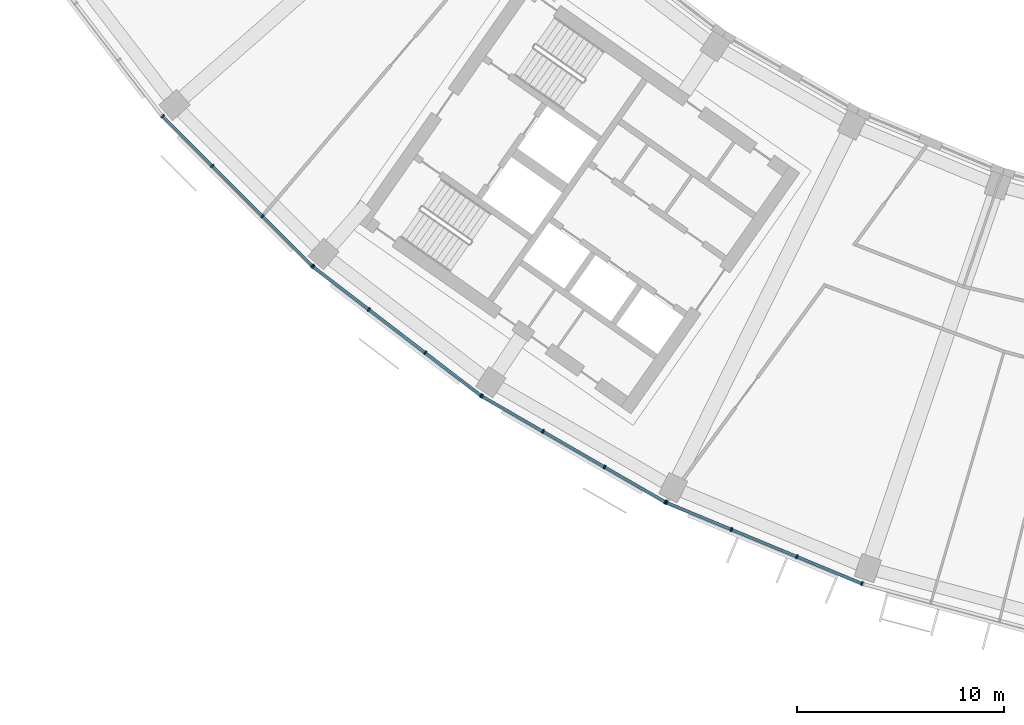
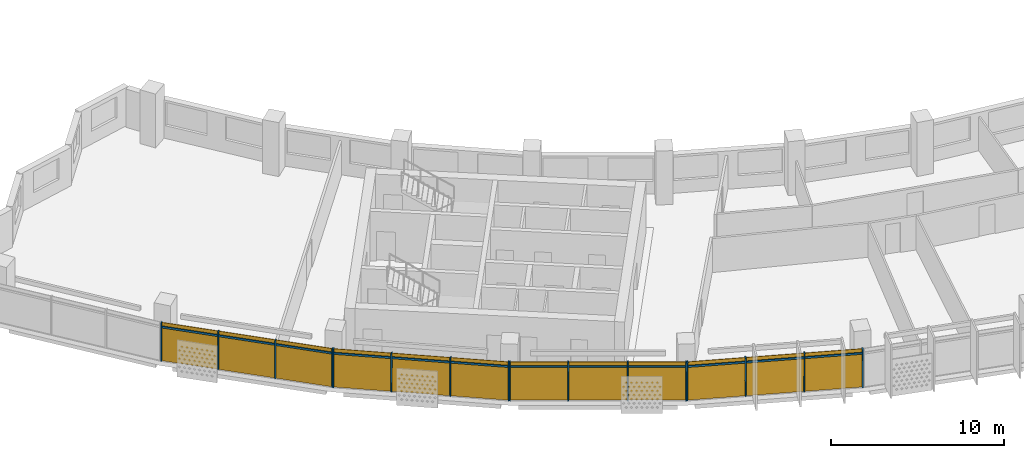
# One storey, part 17 of 27: 28 members, 4 curtain walls.
"""IFC4 building model written with IfcOpenShell, lengths in metres."""

from ifc_helpers import new_model, si_unit, direction, frame, origin, origin_2d, place, context, subcontext, project, spatial, rectangle, extrude, material, material_profile, profile_set, type_object, element, aggregate, save


model = new_model("IFC4")

# Units and contexts
model_context = context("Model", 3, precision=1e-05, world=origin(), true_north=direction((0.0, 1.0)))
body_context = subcontext(model_context, "Body", "Model", "MODEL_VIEW")
ifc_project = project(units=[si_unit("LENGTHUNIT", "METRE"), si_unit("AREAUNIT", "SQUARE_METRE"), si_unit("VOLUMEUNIT", "CUBIC_METRE"), si_unit("PLANEANGLEUNIT", "RADIAN"), si_unit("MASSUNIT", "GRAM", prefix="KILO")], contexts=[model_context])

# Member
ifc_material = material(Name="Aluminium 6063-T6 anodised", Category="aluminium")
ifc_material_profile_1 = material_profile(ifc_material, rectangle(XDim=0.199951171875, YDim=0.070068359375, at=origin_2d()))
ifc_profile_set_1 = profile_set([ifc_material_profile_1], Name="Aluminium 6063-T6 anodised")
member_type_1 = type_object("IfcMemberType", Name="Mullion 70 x 200 aluminium", PredefinedType="MULLION", material=ifc_profile_set_1)
site_placement = place(None, origin())
building_placement = place(site_placement, origin())
storey_placement = place(building_placement, frame((0.0, 0.0, 237.89990234375)))
member_1_placement = place(storey_placement, frame((-59.03662109375, -51.8115234375, 0.0), z_axis=(0.0, 0.0, 1.0), x_axis=(0.707106781187, 0.707106781187, 0.0)))
member_1 = element("IfcMember", 1, at=member_1_placement, type_object=member_type_1, Name="e-cw1-L57-out02/M00", PredefinedType="MULLION", context=body_context, shape_type="SweptSolid", body=[
    extrude(rectangle(XDim=0.199951171875, YDim=0.070068359375, at=origin_2d()), origin(), (0.0, 0.0, 1.0), 2.7001953125),
])

member_2_placement = place(storey_placement, frame((-56.63671875, -54.211669921875, 0.0), z_axis=(0.0, 0.0, 1.0), x_axis=(0.707106781187, 0.707106781187, 0.0)))
member_2 = element("IfcMember", 2, at=member_2_placement, type_object=member_type_1, Name="e-cw1-L57-out02/M01", PredefinedType="MULLION", context=body_context, shape_type="SweptSolid", body=[
    extrude(rectangle(XDim=0.199951171875, YDim=0.070068359375, at=origin_2d()), origin(), (0.0, 0.0, 1.0), 2.7001953125),
])

member_3_placement = place(storey_placement, frame((-54.211669921875, -56.63671875, 0.0), z_axis=(0.0, 0.0, 1.0), x_axis=(0.707106781187, 0.707106781187, 0.0)))
member_3 = element("IfcMember", 3, at=member_3_placement, type_object=member_type_1, Name="e-cw1-L57-out02/M02", PredefinedType="MULLION", context=body_context, shape_type="SweptSolid", body=[
    extrude(rectangle(XDim=0.199951171875, YDim=0.070068359375, at=origin_2d()), origin(), (0.0, 0.0, 1.0), 2.7001953125),
])

member_4_placement = place(storey_placement, frame((-51.8115234375, -59.03662109375, 0.0), z_axis=(0.0, 0.0, 1.0), x_axis=(0.707106781187, 0.707106781187, 0.0)))
member_4 = element("IfcMember", 4, at=member_4_placement, type_object=member_type_1, Name="e-cw1-L57-out02/M03", PredefinedType="MULLION", context=body_context, shape_type="SweptSolid", body=[
    extrude(rectangle(XDim=0.199951171875, YDim=0.070068359375, at=origin_2d()), origin(), (0.0, 0.0, 1.0), 2.7001953125),
])

member_5_placement = place(storey_placement, frame((-51.768798828125, -59.07421875, 0.0), z_axis=(0.0, 0.0, 1.0), x_axis=(0.608761429009, 0.793353340291, 0.0)))
member_5 = element("IfcMember", 5, at=member_5_placement, type_object=member_type_1, Name="e-cw1-L57-out03/M00", PredefinedType="MULLION", context=body_context, shape_type="SweptSolid", body=[
    extrude(rectangle(XDim=0.199951171875, YDim=0.070068359375, at=origin_2d()), origin(), (0.0, 0.0, 1.0), 2.7001953125),
])

member_6_placement = place(storey_placement, frame((-49.075927734375, -61.140380859375, 0.0), z_axis=(0.0, 0.0, 1.0), x_axis=(0.608761429009, 0.793353340291, 0.0)))
member_6 = element("IfcMember", 6, at=member_6_placement, type_object=member_type_1, Name="e-cw1-L57-out03/M01", PredefinedType="MULLION", context=body_context, shape_type="SweptSolid", body=[
    extrude(rectangle(XDim=0.199951171875, YDim=0.070068359375, at=origin_2d()), origin(), (0.0, 0.0, 1.0), 2.7001953125),
])

member_7_placement = place(storey_placement, frame((-46.35546875, -63.22802734375, 0.0), z_axis=(0.0, 0.0, 1.0), x_axis=(0.608761429009, 0.793353340291, 0.0)))
member_7 = element("IfcMember", 7, at=member_7_placement, type_object=member_type_1, Name="e-cw1-L57-out03/M02", PredefinedType="MULLION", context=body_context, shape_type="SweptSolid", body=[
    extrude(rectangle(XDim=0.199951171875, YDim=0.070068359375, at=origin_2d()), origin(), (0.0, 0.0, 1.0), 2.7001953125),
])

member_8_placement = place(storey_placement, frame((-43.66259765625, -65.29443359375, 0.0), z_axis=(0.0, 0.0, 1.0), x_axis=(0.608761429009, 0.793353340291, 0.0)))
member_8 = element("IfcMember", 8, at=member_8_placement, type_object=member_type_1, Name="e-cw1-L57-out03/M03", PredefinedType="MULLION", context=body_context, shape_type="SweptSolid", body=[
    extrude(rectangle(XDim=0.199951171875, YDim=0.070068359375, at=origin_2d()), origin(), (0.0, 0.0, 1.0), 2.7001953125),
])

member_9_placement = place(storey_placement, frame((-43.615234375, -65.325927734375, 0.0), z_axis=(0.0, 0.0, 1.0), x_axis=(0.5, 0.866025403784, 0.0)))
member_9 = element("IfcMember", 9, at=member_9_placement, type_object=member_type_1, Name="e-cw1-L57-out04/M00", PredefinedType="MULLION", context=body_context, shape_type="SweptSolid", body=[
    extrude(rectangle(XDim=0.199951171875, YDim=0.070068359375, at=origin_2d()), origin(), (0.0, 0.0, 1.0), 2.7001953125),
])

member_10_placement = place(storey_placement, frame((-40.67578125, -67.023193359375, 0.0), z_axis=(0.0, 0.0, 1.0), x_axis=(0.5, 0.866025403784, 0.0)))
member_10 = element("IfcMember", 10, at=member_10_placement, type_object=member_type_1, Name="e-cw1-L57-out04/M01", PredefinedType="MULLION", context=body_context, shape_type="SweptSolid", body=[
    extrude(rectangle(XDim=0.199951171875, YDim=0.070068359375, at=origin_2d()), origin(), (0.0, 0.0, 1.0), 2.7001953125),
])

member_11_placement = place(storey_placement, frame((-37.705810546875, -68.73779296875, 0.0), z_axis=(0.0, 0.0, 1.0), x_axis=(0.5, 0.866025403784, 0.0)))
member_11 = element("IfcMember", 11, at=member_11_placement, type_object=member_type_1, Name="e-cw1-L57-out04/M02", PredefinedType="MULLION", context=body_context, shape_type="SweptSolid", body=[
    extrude(rectangle(XDim=0.199951171875, YDim=0.070068359375, at=origin_2d()), origin(), (0.0, 0.0, 1.0), 2.7001953125),
])

member_12_placement = place(storey_placement, frame((-34.766357421875, -70.43505859375, 0.0), z_axis=(0.0, 0.0, 1.0), x_axis=(0.5, 0.866025403784, 0.0)))
member_12 = element("IfcMember", 12, at=member_12_placement, type_object=member_type_1, Name="e-cw1-L57-out04/M03", PredefinedType="MULLION", context=body_context, shape_type="SweptSolid", body=[
    extrude(rectangle(XDim=0.199951171875, YDim=0.070068359375, at=origin_2d()), origin(), (0.0, 0.0, 1.0), 2.7001953125),
])

member_13_placement = place(storey_placement, frame((-34.71533203125, -70.4599609375, 0.0), z_axis=(0.0, 0.0, 1.0), x_axis=(0.382683432365, 0.923879532511, 0.0)))
member_13 = element("IfcMember", 13, at=member_13_placement, type_object=member_type_1, Name="e-cw1-L57-out05/M00", PredefinedType="MULLION", context=body_context, shape_type="SweptSolid", body=[
    extrude(rectangle(XDim=0.199951171875, YDim=0.070068359375, at=origin_2d()), origin(), (0.0, 0.0, 1.0), 2.7001953125),
])

member_14_placement = place(storey_placement, frame((-31.57958984375, -71.759033203125, 0.0), z_axis=(0.0, 0.0, 1.0), x_axis=(0.382683432365, 0.923879532511, 0.0)))
member_14 = element("IfcMember", 14, at=member_14_placement, type_object=member_type_1, Name="e-cw1-L57-out05/M01", PredefinedType="MULLION", context=body_context, shape_type="SweptSolid", body=[
    extrude(rectangle(XDim=0.199951171875, YDim=0.070068359375, at=origin_2d()), origin(), (0.0, 0.0, 1.0), 2.7001953125),
])

member_15_placement = place(storey_placement, frame((-28.4111328125, -73.0712890625, 0.0), z_axis=(0.0, 0.0, 1.0), x_axis=(0.382683432365, 0.923879532511, 0.0)))
member_15 = element("IfcMember", 15, at=member_15_placement, type_object=member_type_1, Name="e-cw1-L57-out05/M02", PredefinedType="MULLION", context=body_context, shape_type="SweptSolid", body=[
    extrude(rectangle(XDim=0.199951171875, YDim=0.070068359375, at=origin_2d()), origin(), (0.0, 0.0, 1.0), 2.7001953125),
])

member_16_placement = place(storey_placement, frame((-25.275390625, -74.370361328125, 0.0), z_axis=(0.0, 0.0, 1.0), x_axis=(0.382683432365, 0.923879532511, 0.0)))
member_16 = element("IfcMember", 16, at=member_16_placement, type_object=member_type_1, Name="e-cw1-L57-out05/M03", PredefinedType="MULLION", context=body_context, shape_type="SweptSolid", body=[
    extrude(rectangle(XDim=0.199951171875, YDim=0.070068359375, at=origin_2d()), origin(), (0.0, 0.0, 1.0), 2.7001953125),
])

ifc_material_profile_2 = material_profile(ifc_material, rectangle(XDim=0.139892578125, YDim=0.1201171875, at=origin_2d()))
ifc_profile_set_2 = profile_set([ifc_material_profile_2], Name="Aluminium 6063-T6 anodised")
member_type_2 = type_object("IfcMemberType", Name="Transom 120 x 140 aluminium", PredefinedType="USERDEFINED", material=ifc_profile_set_2)
member_17_placement = place(storey_placement, frame((-59.011962890625, -51.83642578125, 2.400146484375), z_axis=(0.707106781187, -0.707106781187, 0.0), x_axis=(0.707106781187, 0.707106781187, 0.0)))
member_17 = element("IfcMember", 17, at=member_17_placement, type_object=member_type_2, Name="e-cw1-L57-out02/T00", ObjectType="TRANSOM", PredefinedType="USERDEFINED", context=body_context, shape_type="SweptSolid", body=[
    extrude(rectangle(XDim=0.139892578125, YDim=0.1201171875, at=origin_2d()), origin(), (0.0, 0.0, 1.0), 3.32421875),
])

member_18_placement = place(storey_placement, frame((-56.61181640625, -54.236572265625, 2.400146484375), z_axis=(0.707106781187, -0.707106781187, 0.0), x_axis=(0.707106781187, 0.707106781187, 0.0)))
member_18 = element("IfcMember", 18, at=member_18_placement, type_object=member_type_2, Name="e-cw1-L57-out02/T01", ObjectType="TRANSOM", PredefinedType="USERDEFINED", context=body_context, shape_type="SweptSolid", body=[
    extrude(rectangle(XDim=0.139892578125, YDim=0.1201171875, at=origin_2d()), origin(), (0.0, 0.0, 1.0), 3.359130859375),
])

member_19_placement = place(storey_placement, frame((-54.18701171875, -56.661376953125, 2.400146484375), z_axis=(0.707106781187, -0.707106781187, 0.0), x_axis=(0.707106781187, 0.707106781187, 0.0)))
member_19 = element("IfcMember", 19, at=member_19_placement, type_object=member_type_2, Name="e-cw1-L57-out02/T02", ObjectType="TRANSOM", PredefinedType="USERDEFINED", context=body_context, shape_type="SweptSolid", body=[
    extrude(rectangle(XDim=0.139892578125, YDim=0.1201171875, at=origin_2d()), origin(), (0.0, 0.0, 1.0), 3.32421875),
])

member_20_placement = place(storey_placement, frame((-51.7412109375, -59.095458984375, 2.400146484375), z_axis=(0.793368713958, -0.608741393132, 0.0), x_axis=(0.608741393132, 0.793368713958, 0.0)))
member_20 = element("IfcMember", 20, at=member_20_placement, type_object=member_type_2, Name="e-cw1-L57-out03/T00", ObjectType="TRANSOM", PredefinedType="USERDEFINED", context=body_context, shape_type="SweptSolid", body=[
    extrude(rectangle(XDim=0.139892578125, YDim=0.1201171875, at=origin_2d()), origin(), (0.0, 0.0, 1.0), 3.324462890625),
])

member_21_placement = place(storey_placement, frame((-49.04833984375, -61.161865234375, 2.400146484375), z_axis=(0.793385234627, -0.608719861247, 0.0), x_axis=(0.608719861247, 0.793385234627, 0.0)))
member_21 = element("IfcMember", 21, at=member_21_placement, type_object=member_type_2, Name="e-cw1-L57-out03/T01", ObjectType="TRANSOM", PredefinedType="USERDEFINED", context=body_context, shape_type="SweptSolid", body=[
    extrude(rectangle(XDim=0.139892578125, YDim=0.1201171875, at=origin_2d()), origin(), (0.0, 0.0, 1.0), 3.359375),
])

member_22_placement = place(storey_placement, frame((-46.32763671875, -63.24951171875, 2.400146484375), z_axis=(0.793368713958, -0.608741393132, 0.0), x_axis=(0.608741393132, 0.793368713958, 0.0)))
member_22 = element("IfcMember", 22, at=member_22_placement, type_object=member_type_2, Name="e-cw1-L57-out03/T02", ObjectType="TRANSOM", PredefinedType="USERDEFINED", context=body_context, shape_type="SweptSolid", body=[
    extrude(rectangle(XDim=0.139892578125, YDim=0.1201171875, at=origin_2d()), origin(), (0.0, 0.0, 1.0), 3.324462890625),
])

member_23_placement = place(storey_placement, frame((-43.5849609375, -65.343505859375, 2.400146484375), z_axis=(0.866029041019, -0.499993700073, 0.0), x_axis=(0.499993700073, 0.866029041019, 0.0)))
member_23 = element("IfcMember", 23, at=member_23_placement, type_object=member_type_2, Name="e-cw1-L57-out04/T00", ObjectType="TRANSOM", PredefinedType="USERDEFINED", context=body_context, shape_type="SweptSolid", body=[
    extrude(rectangle(XDim=0.139892578125, YDim=0.1201171875, at=origin_2d()), origin(), (0.0, 0.0, 1.0), 3.32421875),
])

member_24_placement = place(storey_placement, frame((-40.6455078125, -67.04052734375, 2.400146484375), z_axis=(0.866034314054, -0.499984566643, 0.0), x_axis=(0.499984566643, 0.866034314054, 0.0)))
member_24 = element("IfcMember", 24, at=member_24_placement, type_object=member_type_2, Name="e-cw1-L57-out04/T01", ObjectType="TRANSOM", PredefinedType="USERDEFINED", context=body_context, shape_type="SweptSolid", body=[
    extrude(rectangle(XDim=0.139892578125, YDim=0.1201171875, at=origin_2d()), origin(), (0.0, 0.0, 1.0), 3.359375),
])

member_25_placement = place(storey_placement, frame((-37.675537109375, -68.75537109375, 2.400146484375), z_axis=(0.866029041019, -0.499993700073, 0.0), x_axis=(0.499993700073, 0.866029041019, 0.0)))
member_25 = element("IfcMember", 25, at=member_25_placement, type_object=member_type_2, Name="e-cw1-L57-out04/T02", ObjectType="TRANSOM", PredefinedType="USERDEFINED", context=body_context, shape_type="SweptSolid", body=[
    extrude(rectangle(XDim=0.139892578125, YDim=0.1201171875, at=origin_2d()), origin(), (0.0, 0.0, 1.0), 3.32421875),
])

member_26_placement = place(storey_placement, frame((-34.68310546875, -70.473388671875, 2.400146484375), z_axis=(0.923874511193, -0.382695554676, 0.0), x_axis=(0.382695554676, 0.923874511193, 0.0)))
member_26 = element("IfcMember", 26, at=member_26_placement, type_object=member_type_2, Name="e-cw1-L57-out05/T00", ObjectType="TRANSOM", PredefinedType="USERDEFINED", context=body_context, shape_type="SweptSolid", body=[
    extrude(rectangle(XDim=0.139892578125, YDim=0.1201171875, at=origin_2d()), origin(), (0.0, 0.0, 1.0), 3.324462890625),
])

member_27_placement = place(storey_placement, frame((-31.547119140625, -71.7724609375, 2.400146484375), z_axis=(0.923891938088, -0.38265348128, 0.0), x_axis=(0.38265348128, 0.923891938088, 0.0)))
member_27 = element("IfcMember", 27, at=member_27_placement, type_object=member_type_2, Name="e-cw1-L57-out05/T01", ObjectType="TRANSOM", PredefinedType="USERDEFINED", context=body_context, shape_type="SweptSolid", body=[
    extrude(rectangle(XDim=0.139892578125, YDim=0.1201171875, at=origin_2d()), origin(), (0.0, 0.0, 1.0), 3.359130859375),
])

member_28_placement = place(storey_placement, frame((-28.37890625, -73.084716796875, 2.400146484375), z_axis=(0.923874511193, -0.382695554676, 0.0), x_axis=(0.382695554676, 0.923874511193, 0.0)))
member_28 = element("IfcMember", 28, at=member_28_placement, type_object=member_type_2, Name="e-cw1-L57-out05/T02", ObjectType="TRANSOM", PredefinedType="USERDEFINED", context=body_context, shape_type="SweptSolid", body=[
    extrude(rectangle(XDim=0.139892578125, YDim=0.1201171875, at=origin_2d()), origin(), (0.0, 0.0, 1.0), 3.324462890625),
])

# Site, building, storey
site = spatial("IfcSite", under=ifc_project, at=site_placement, CompositionType="ELEMENT")
building = spatial("IfcBuilding", under=site, at=building_placement, Name="Qamariyya Broadcast Tower", CompositionType="ELEMENT")
storey = spatial("IfcBuildingStorey", under=building, at=storey_placement, Name="L57", CompositionType="ELEMENT", Elevation=237.89990234375)

# Curtain wall
curtain_wall_type = type_object("IfcCurtainWallType", Name="Unitised curtain wall, anodised aluminium", PredefinedType="NOTDEFINED", material=ifc_material)
curtain_wall_1_placement = place(storey_placement, origin())
curtain_wall_1 = element("IfcCurtainWall", 29, at=curtain_wall_1_placement, inside=storey, type_object=curtain_wall_type, Name="e-cw1-L57-out02", PredefinedType="NOTDEFINED", context=body_context, shape_type="SweptSolid", body=[
    extrude(rectangle(XDim=3.32421875, YDim=0.031982421875, at=origin_2d()), frame((-57.836669921875, -53.01171875, 0.0), x_axis=(0.707106781187, -0.707106781187, 0.0)), (0.0, 0.0, 1.0), 2.340087890625),
    extrude(rectangle(XDim=3.32421875, YDim=0.031982421875, at=origin_2d()), frame((-57.836669921875, -53.01171875, 2.460205078125), x_axis=(0.707106781187, -0.707106781187, 0.0)), (0.0, 0.0, 1.0), 0.239990234375),
    extrude(rectangle(XDim=3.359375, YDim=0.031982421875, at=origin_2d()), frame((-55.42431640625, -55.42431640625, 0.0), x_axis=(0.707106781187, -0.707106781187, 0.0)), (0.0, 0.0, 1.0), 2.340087890625),
    extrude(rectangle(XDim=3.359375, YDim=0.031982421875, at=origin_2d()), frame((-55.42431640625, -55.42431640625, 2.460205078125), x_axis=(0.707106781187, -0.707106781187, 0.0)), (0.0, 0.0, 1.0), 0.239990234375),
    extrude(rectangle(XDim=3.32421875, YDim=0.031982421875, at=origin_2d()), frame((-53.01171875, -57.836669921875, 0.0), x_axis=(0.707106781187, -0.707106781187, 0.0)), (0.0, 0.0, 1.0), 2.340087890625),
    extrude(rectangle(XDim=3.32421875, YDim=0.031982421875, at=origin_2d()), frame((-53.01171875, -57.836669921875, 2.460205078125), x_axis=(0.707106781187, -0.707106781187, 0.0)), (0.0, 0.0, 1.0), 0.239990234375),
])

aggregate(curtain_wall_1, [member_1, member_2, member_3, member_4, member_17, member_18, member_19])

curtain_wall_2_placement = place(storey_placement, origin())
curtain_wall_2 = element("IfcCurtainWall", 30, at=curtain_wall_2_placement, inside=storey, type_object=curtain_wall_type, Name="e-cw1-L57-out03", PredefinedType="NOTDEFINED", context=body_context, shape_type="SweptSolid", body=[
    extrude(rectangle(XDim=3.32421875, YDim=0.031982421875, at=origin_2d()), frame((-50.42236328125, -60.107421875, 0.0), x_axis=(0.793359168734, -0.608753833159, 0.0)), (0.0, 0.0, 1.0), 2.340087890625),
    extrude(rectangle(XDim=3.32421875, YDim=0.031982421875, at=origin_2d()), frame((-50.42236328125, -60.107421875, 2.460205078125), x_axis=(0.793359168734, -0.608753833159, 0.0)), (0.0, 0.0, 1.0), 0.239990234375),
    extrude(rectangle(XDim=3.359130859375, YDim=0.031982421875, at=origin_2d()), frame((-47.7158203125, -62.184326171875, 0.0), x_axis=(0.793359168734, -0.608753833159, 0.0)), (0.0, 0.0, 1.0), 2.340087890625),
    extrude(rectangle(XDim=3.359130859375, YDim=0.031982421875, at=origin_2d()), frame((-47.7158203125, -62.184326171875, 2.460205078125), x_axis=(0.793359168734, -0.608753833159, 0.0)), (0.0, 0.0, 1.0), 0.239990234375),
    extrude(rectangle(XDim=3.32421875, YDim=0.031982421875, at=origin_2d()), frame((-45.009033203125, -64.26123046875, 0.0), x_axis=(0.793359168734, -0.608753833159, 0.0)), (0.0, 0.0, 1.0), 2.340087890625),
    extrude(rectangle(XDim=3.32421875, YDim=0.031982421875, at=origin_2d()), frame((-45.009033203125, -64.26123046875, 2.460205078125), x_axis=(0.793359168734, -0.608753833159, 0.0)), (0.0, 0.0, 1.0), 0.239990234375),
])

aggregate(curtain_wall_2, [member_5, member_6, member_7, member_8, member_20, member_21, member_22])

curtain_wall_3_placement = place(storey_placement, origin())
curtain_wall_3 = element("IfcCurtainWall", 31, at=curtain_wall_3_placement, inside=storey, type_object=curtain_wall_type, Name="e-cw1-L57-out04", PredefinedType="NOTDEFINED", context=body_context, shape_type="SweptSolid", body=[
    extrude(rectangle(XDim=3.32421875, YDim=0.031982421875, at=origin_2d()), frame((-42.1455078125, -66.174560546875, 0.0), x_axis=(0.866027904674, -0.499995668308, 0.0)), (0.0, 0.0, 1.0), 2.340087890625),
    extrude(rectangle(XDim=3.32421875, YDim=0.031982421875, at=origin_2d()), frame((-42.1455078125, -66.174560546875, 2.460205078125), x_axis=(0.866027904674, -0.499995668308, 0.0)), (0.0, 0.0, 1.0), 0.239990234375),
    extrude(rectangle(XDim=3.359130859375, YDim=0.031982421875, at=origin_2d()), frame((-39.19091796875, -67.88037109375, 0.0), x_axis=(0.866027904674, -0.499995668308, 0.0)), (0.0, 0.0, 1.0), 2.340087890625),
    extrude(rectangle(XDim=3.359130859375, YDim=0.031982421875, at=origin_2d()), frame((-39.19091796875, -67.88037109375, 2.460205078125), x_axis=(0.866027904674, -0.499995668308, 0.0)), (0.0, 0.0, 1.0), 0.239990234375),
    extrude(rectangle(XDim=3.32421875, YDim=0.031982421875, at=origin_2d()), frame((-36.236083984375, -69.58642578125, 0.0), x_axis=(0.866027904674, -0.499995668308, 0.0)), (0.0, 0.0, 1.0), 2.340087890625),
    extrude(rectangle(XDim=3.32421875, YDim=0.031982421875, at=origin_2d()), frame((-36.236083984375, -69.58642578125, 2.460205078125), x_axis=(0.866027904674, -0.499995668308, 0.0)), (0.0, 0.0, 1.0), 0.239990234375),
])

aggregate(curtain_wall_3, [member_9, member_10, member_11, member_12, member_23, member_24, member_25])

curtain_wall_4_placement = place(storey_placement, origin())
curtain_wall_4 = element("IfcCurtainWall", 32, at=curtain_wall_4_placement, inside=storey, type_object=curtain_wall_type, Name="e-cw1-L57-out05", PredefinedType="NOTDEFINED", context=body_context, shape_type="SweptSolid", body=[
    extrude(rectangle(XDim=3.32421875, YDim=0.031982421875, at=origin_2d()), frame((-33.1474609375, -71.109375, 0.0), x_axis=(0.923880895135, -0.382680142683, 0.0)), (0.0, 0.0, 1.0), 2.340087890625),
    extrude(rectangle(XDim=3.32421875, YDim=0.031982421875, at=origin_2d()), frame((-33.1474609375, -71.109375, 2.460205078125), x_axis=(0.923880895135, -0.382680142683, 0.0)), (0.0, 0.0, 1.0), 0.239990234375),
    extrude(rectangle(XDim=3.359375, YDim=0.031982421875, at=origin_2d()), frame((-29.995361328125, -72.4150390625, 0.0), x_axis=(0.923880895135, -0.382680142683, 0.0)), (0.0, 0.0, 1.0), 2.340087890625),
    extrude(rectangle(XDim=3.359375, YDim=0.031982421875, at=origin_2d()), frame((-29.995361328125, -72.4150390625, 2.460205078125), x_axis=(0.923880895135, -0.382680142683, 0.0)), (0.0, 0.0, 1.0), 0.239990234375),
    extrude(rectangle(XDim=3.32421875, YDim=0.031982421875, at=origin_2d()), frame((-26.84326171875, -73.720703125, 0.0), x_axis=(0.923880895135, -0.382680142683, 0.0)), (0.0, 0.0, 1.0), 2.340087890625),
    extrude(rectangle(XDim=3.32421875, YDim=0.031982421875, at=origin_2d()), frame((-26.84326171875, -73.720703125, 2.460205078125), x_axis=(0.923880895135, -0.382680142683, 0.0)), (0.0, 0.0, 1.0), 0.239990234375),
])

aggregate(curtain_wall_4, [member_13, member_14, member_15, member_16, member_26, member_27, member_28])

save(model, "model.ifc")
